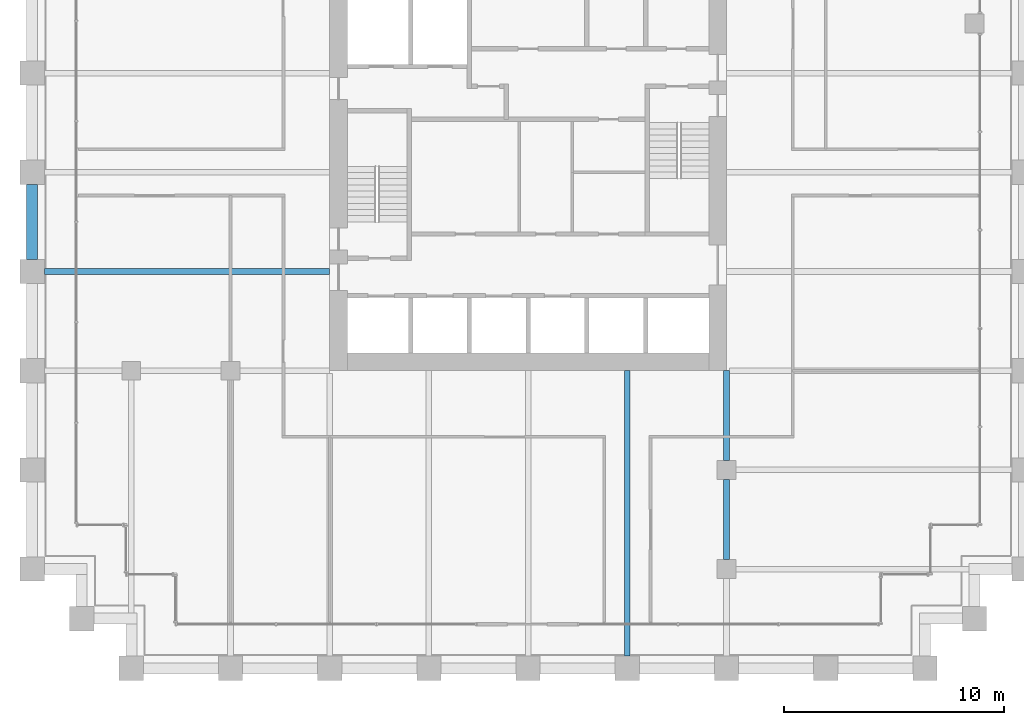
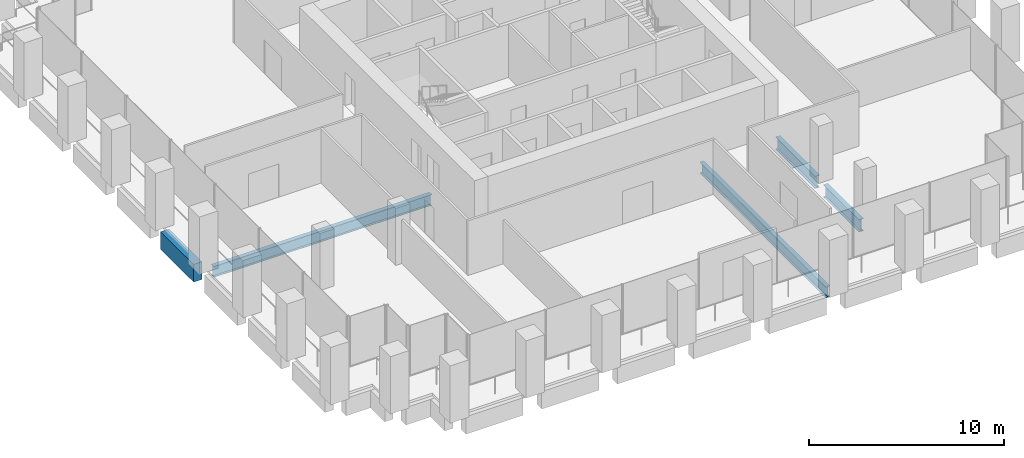
# One storey, part 10 of 54: 5 beams.
"""IFC4 building model written with IfcOpenShell, lengths in metres."""

from ifc_helpers import new_model, si_unit, direction, frame, origin, origin_2d, place, context, subcontext, project, spatial, rectangle, i_section, extrude, material, material_profile, profile_set, type_object, element, save


model = new_model("IFC4")

# Units and contexts
model_context = context("Model", 3, precision=1e-05, world=origin(), true_north=direction((0.0, 1.0)))
body_context = subcontext(model_context, "Body", "Model", "MODEL_VIEW")
ifc_project = project(units=[si_unit("LENGTHUNIT", "METRE"), si_unit("AREAUNIT", "SQUARE_METRE"), si_unit("VOLUMEUNIT", "CUBIC_METRE"), si_unit("PLANEANGLEUNIT", "RADIAN"), si_unit("MASSUNIT", "GRAM", prefix="KILO")], contexts=[model_context])

# Site, building, storey
site_placement = place(None, origin())
site = spatial("IfcSite", under=ifc_project, at=site_placement, CompositionType="ELEMENT")
building_placement = place(site_placement, origin())
building = spatial("IfcBuilding", under=site, at=building_placement, Name="Altepetl Exchange Towers", CompositionType="ELEMENT")
storey_placement = place(building_placement, frame((0.0, 0.0, 58.199951171875)))
storey = spatial("IfcBuildingStorey", under=building, at=storey_placement, Name="L13", CompositionType="ELEMENT", Elevation=58.199951171875)

# Beams
ifc_material_1 = material(Name="Steel S355", Category="steel")
ifc_material_profile_1 = material_profile(ifc_material_1, i_section(OverallWidth=0.25390625, OverallDepth=0.68408203125, WebThickness=0.012451171875, FlangeThickness=0.018798828125, at=origin_2d()), Name="W27X94")
ifc_profile_set_1 = profile_set([ifc_material_profile_1], Name="Steel S355")
beam_type_1 = type_object("IfcBeamType", Name="Floor beam W27X94", PredefinedType="BEAM", material=ifc_profile_set_1)
for number, where, z_axis, x_axis, name in (
    (1, (54.0, 27.550048828125, -0.491943359375), (0.0, 1.0, 0.0), (-1.0, 0.0, 0.0), "bm:A:L13:017"),
    (2, (27.550048828125, 45.0, -0.491943359375), (1.0, 0.0, 0.0), (0.0, 1.0, 0.0), "bm:A:L13:018"),
):
    element("IfcBeam", number, at=place(storey_placement, frame(where, z_axis=z_axis, x_axis=x_axis)), inside=storey, type_object=beam_type_1, Name=name, PredefinedType="BEAM", context=body_context, shape_type="SweptSolid", body=[
        extrude(i_section(OverallWidth=0.25390625, OverallDepth=0.68408203125, WebThickness=0.012451171875, FlangeThickness=0.018798828125, at=origin_2d()), origin(), (0.0, 0.0, 1.0), 12.949951171875),
    ])
ifc_material_profile_2 = material_profile(ifc_material_1, i_section(OverallWidth=0.26806640625, OverallDepth=0.77392578125, WebThickness=0.015380859375, FlangeThickness=0.025390625, at=origin_2d()), Name="W30X132")
ifc_profile_set_2 = profile_set([ifc_material_profile_2], Name="Steel S355")
beam_type_2 = type_object("IfcBeamType", Name="Girder W30X132", PredefinedType="BEAM", material=ifc_profile_set_2)
beam_1_placement = place(storey_placement, frame((58.5, 40.5, -0.536865234375), z_axis=(0.0, -1.0, 0.0), x_axis=(1.0, 0.0, 0.0)))
element("IfcBeam", 3, at=beam_1_placement, inside=storey, type_object=beam_type_2, Name="gd:A:L13:006", PredefinedType="BEAM", context=body_context, shape_type="SweptSolid", body=[
    extrude(i_section(OverallWidth=0.26806640625, OverallDepth=0.77392578125, WebThickness=0.015380859375, FlangeThickness=0.025390625, at=origin_2d()), origin(), (0.0, 0.0, 1.0), 4.074951171875),
])
beam_2_placement = place(storey_placement, frame((58.5, 35.574951171875, -0.536865234375), z_axis=(0.0, -1.0, 0.0), x_axis=(1.0, 0.0, 0.0)))
element("IfcBeam", 4, at=beam_2_placement, inside=storey, type_object=beam_type_2, Name="gd:A:L13:007", PredefinedType="BEAM", context=body_context, shape_type="SweptSolid", body=[
    extrude(i_section(OverallWidth=0.26806640625, OverallDepth=0.77392578125, WebThickness=0.015380859375, FlangeThickness=0.025390625, at=origin_2d()), origin(), (0.0, 0.0, 1.0), 3.64990234375),
])
ifc_material_2 = material(Name="Concrete C50/60 precast with tezontle facing", Category="concrete")
ifc_material_profile_3 = material_profile(ifc_material_2, rectangle(XDim=0.5, YDim=1.10009765625, at=origin_2d()), Name="500 x 1100")
ifc_profile_set_3 = profile_set([ifc_material_profile_3], Name="Concrete C50/60 precast with tezontle facing")
beam_type_3 = type_object("IfcBeamType", Name="Spandrel beam 500x1100 tezontle", PredefinedType="SPANDREL", material=ifc_profile_set_3)
beam_3_placement = place(storey_placement, frame((27.0, 48.949951171875, -0.699951171875), z_axis=(0.0, -1.0, 0.0), x_axis=(1.0, 0.0, 0.0)))
element("IfcBeam", 5, at=beam_3_placement, inside=storey, type_object=beam_type_3, Name="sp:A:L13:040", PredefinedType="SPANDREL", context=body_context, shape_type="SweptSolid", body=[
    extrude(rectangle(XDim=0.5, YDim=1.10009765625, at=origin_2d()), origin(), (0.0, 0.0, 1.0), 3.39990234375),
])

save(model, "model.ifc")
